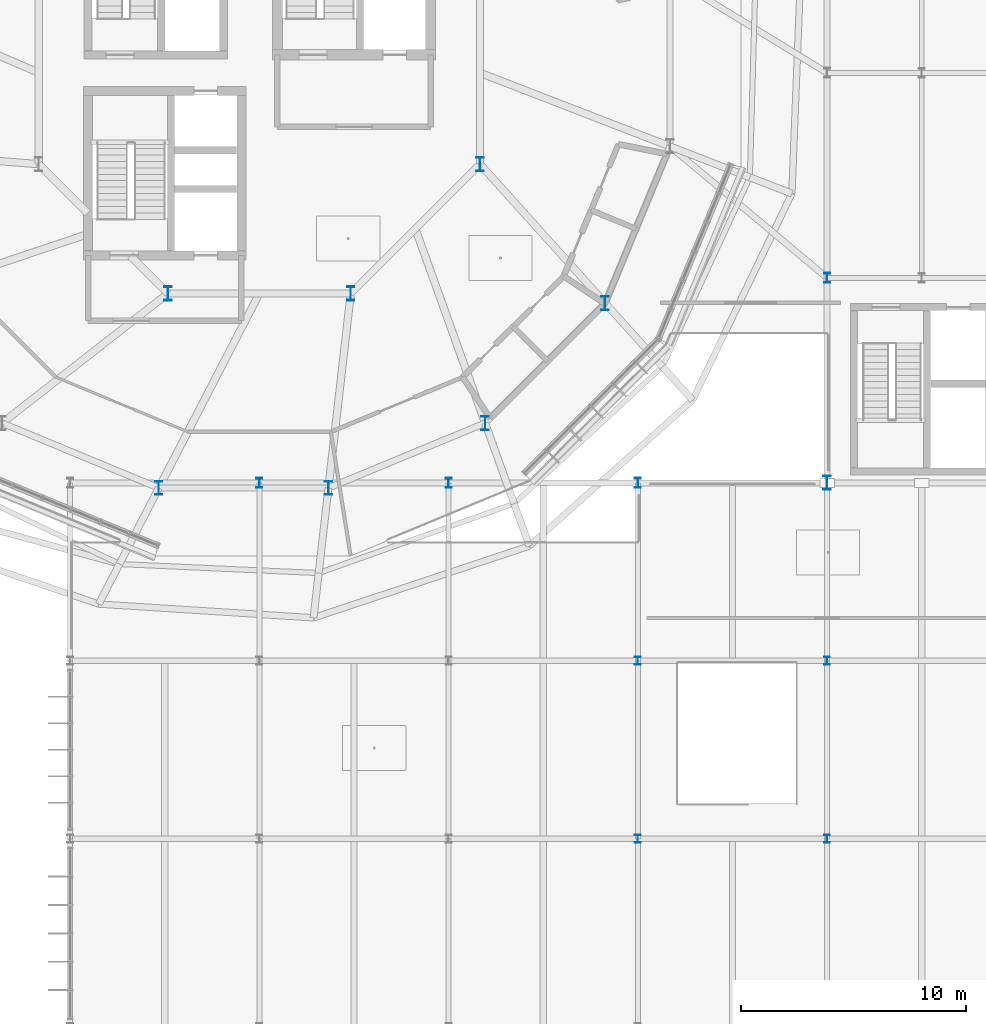
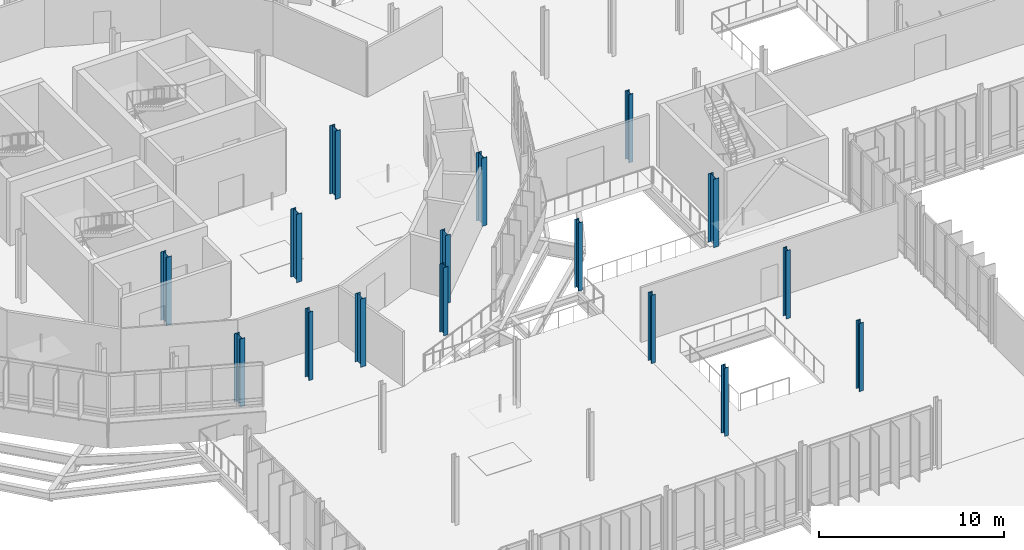
# One storey, part 3 of 139: 16 columns.
"""IFC4 building model written with IfcOpenShell, lengths in metres."""

from ifc_helpers import new_model, si_unit, derived_unit, direction, frame, origin, origin_2d, place, context, subcontext, project, spatial, i_section, extrude, material, material_profile, profile_set, type_object, element, save


model = new_model("IFC4")

# Units and contexts
model_context = context("Model", 3, precision=1e-05, world=origin(), true_north=direction((0.0, 1.0)))
body_context = subcontext(model_context, "Body", "Model", "MODEL_VIEW")
ifc_project = project(units=[si_unit("LENGTHUNIT", "METRE"), si_unit("AREAUNIT", "SQUARE_METRE"), si_unit("VOLUMEUNIT", "CUBIC_METRE"), si_unit("PLANEANGLEUNIT", "RADIAN"), si_unit("MASSUNIT", "GRAM", prefix="KILO"), derived_unit("THERMALTRANSMITTANCEUNIT", [(si_unit("MASSUNIT", "GRAM", prefix="KILO"), 1), (si_unit("TIMEUNIT", "SECOND"), -3), (si_unit("THERMODYNAMICTEMPERATUREUNIT", "KELVIN"), -1)])], contexts=[model_context])

# Site, building, storey
site_placement = place(None, origin())
site = spatial("IfcSite", under=ifc_project, at=site_placement, CompositionType="ELEMENT")
building_placement = place(site_placement, origin())
building = spatial("IfcBuilding", under=site, at=building_placement, Name="Makaiwela Harbour Ferry Terminal", CompositionType="ELEMENT")
storey_placement = place(building_placement, frame((0.0, 0.0, 5.10009765625)))
storey = spatial("IfcBuildingStorey", under=building, at=storey_placement, Name="L01", CompositionType="ELEMENT", Elevation=5.10009765625)

# Columns
ifc_material = material(Name="Steel ASTM A992 Grade 50", Category="steel")
ifc_material_profile_1 = material_profile(ifc_material, i_section(OverallWidth=0.257080078125, OverallDepth=0.363037109375, WebThickness=0.012939453125, FlangeThickness=0.021728515625, at=origin_2d()), Name="W14X82")
ifc_profile_set_1 = profile_set([ifc_material_profile_1], Name="Steel ASTM A992 Grade 50")
column_type_1 = type_object("IfcColumnType", Name="STR-COL-W14X82", PredefinedType="COLUMN", material=ifc_profile_set_1)
for number, where, z_axis, x_axis, name in (
    (1, (54.60009765625, 33.60009765625, 0.0), (0.0, 0.0, 1.0), (1.0, 0.0, 0.0), "Structural Column C-05"),
    (2, (54.60009765625, 41.5, 0.0), (0.0, 0.0, 1.0), (1.0, 0.0, 0.0), "Structural Column C-05"),
    (3, (63.0, 33.60009765625, 0.0), (0.0, 0.0, 1.0), (1.0, 0.0, 0.0), "Structural Column C-05"),
    (4, (63.0, 41.5, 0.0), (0.0, 0.0, 1.0), (1.0, 0.0, 0.0), "Structural Column C-05"),
):
    element("IfcColumn", number, at=place(storey_placement, frame(where, z_axis=z_axis, x_axis=x_axis)), inside=storey, type_object=column_type_1, Name=name, PredefinedType="COLUMN", context=body_context, shape_type="SweptSolid", body=[
        extrude(i_section(OverallWidth=0.257080078125, OverallDepth=0.363037109375, WebThickness=0.012939453125, FlangeThickness=0.021728515625, at=origin_2d()), origin(), (0.0, 0.0, 1.0), 4.5),
    ])
ifc_material_profile_2 = material_profile(ifc_material, i_section(OverallWidth=0.264892578125, OverallDepth=0.430908203125, WebThickness=0.014892578125, FlangeThickness=0.02490234375, at=origin_2d()), Name="W16X100")
ifc_profile_set_2 = profile_set([ifc_material_profile_2], Name="Steel ASTM A992 Grade 50")
column_type_2 = type_object("IfcColumnType", Name="STR-COL-W16X100", PredefinedType="COLUMN", material=ifc_profile_set_2)
for number, where, z_axis, x_axis, name in (
    (5, (63.0, 58.5, 0.0), (0.0, 0.0, 1.0), (1.0, 0.0, 0.0), "Structural Column C-03"),
    (6, (37.800048828125, 49.39990234375, 0.0), (0.0, 0.0, 1.0), (1.0, 0.0, 0.0), "Structural Column C-03"),
    (7, (46.199951171875, 49.39990234375, 0.0), (0.0, 0.0, 1.0), (1.0, 0.0, 0.0), "Structural Column C-03"),
    (8, (54.60009765625, 49.39990234375, 0.0), (0.0, 0.0, 1.0), (1.0, 0.0, 0.0), "Structural Column C-03"),
):
    element("IfcColumn", number, at=place(storey_placement, frame(where, z_axis=z_axis, x_axis=x_axis)), inside=storey, type_object=column_type_2, Name=name, PredefinedType="COLUMN", context=body_context, shape_type="SweptSolid", body=[
        extrude(i_section(OverallWidth=0.264892578125, OverallDepth=0.430908203125, WebThickness=0.014892578125, FlangeThickness=0.02490234375, at=origin_2d()), origin(), (0.0, 0.0, 1.0), 4.5),
    ])
ifc_material_profile_3 = material_profile(ifc_material, i_section(OverallWidth=0.324951171875, OverallDepth=0.615966796875, WebThickness=0.013916015625, FlangeThickness=0.021484375, at=origin_2d()), Name="W24X117")
ifc_profile_set_3 = profile_set([ifc_material_profile_3], Name="Steel ASTM A992 Grade 50")
column_type_3 = type_object("IfcColumnType", Name="STR-COL-W24X117", PredefinedType="COLUMN", material=ifc_profile_set_3)
for number, where, z_axis, x_axis, name in (
    (9, (33.334716796875, 49.1708984375, 0.0), (0.0, 0.0, 1.0), (1.0, 0.0, 0.0), "Structural Column C-02"),
    (10, (40.865234375, 49.1708984375, 0.0), (0.0, 0.0, 1.0), (1.0, 0.0, 0.0), "Structural Column C-02"),
    (11, (47.822509765625, 52.052490234375, 0.0), (0.0, 0.0, 1.0), (1.0, 0.0, 0.0), "Structural Column C-02"),
    (12, (53.1474609375, 57.37744140625, 0.0), (0.0, 0.0, 1.0), (1.0, 0.0, 0.0), "Structural Column C-02"),
):
    element("IfcColumn", number, at=place(storey_placement, frame(where, z_axis=z_axis, x_axis=x_axis)), inside=storey, type_object=column_type_3, Name=name, PredefinedType="COLUMN", context=body_context, shape_type="SweptSolid", body=[
        extrude(i_section(OverallWidth=0.324951171875, OverallDepth=0.615966796875, WebThickness=0.013916015625, FlangeThickness=0.021484375, at=origin_2d()), origin(), (0.0, 0.0, 1.0), 4.5),
    ])
ifc_material_profile_4 = material_profile(ifc_material, i_section(OverallWidth=0.327880859375, OverallDepth=0.6279296875, WebThickness=0.0166015625, FlangeThickness=0.027587890625, at=origin_2d()), Name="W24X146")
ifc_profile_set_4 = profile_set([ifc_material_profile_4], Name="Steel ASTM A992 Grade 50")
column_type_4 = type_object("IfcColumnType", Name="STR-COL-W24X146", PredefinedType="COLUMN", material=ifc_profile_set_4)
for number, where, z_axis, x_axis, name in (
    (13, (33.74365234375, 57.806884765625, 0.0), (0.0, 0.0, 1.0), (1.0, 0.0, 0.0), "Structural Column C-01"),
    (14, (41.8564453125, 57.806884765625, 0.0), (0.0, 0.0, 1.0), (1.0, 0.0, 0.0), "Structural Column C-01"),
    (15, (47.593017578125, 63.543701171875, 0.0), (0.0, 0.0, 1.0), (1.0, 0.0, 0.0), "Structural Column C-01"),
    (16, (63.0, 49.39990234375, 0.0), (0.0, 0.0, 1.0), (1.0, 0.0, 0.0), "Structural Column C-01"),
):
    element("IfcColumn", number, at=place(storey_placement, frame(where, z_axis=z_axis, x_axis=x_axis)), inside=storey, type_object=column_type_4, Name=name, PredefinedType="COLUMN", context=body_context, shape_type="SweptSolid", body=[
        extrude(i_section(OverallWidth=0.327880859375, OverallDepth=0.6279296875, WebThickness=0.0166015625, FlangeThickness=0.027587890625, at=origin_2d()), origin(), (0.0, 0.0, 1.0), 4.5),
    ])

save(model, "model.ifc")
